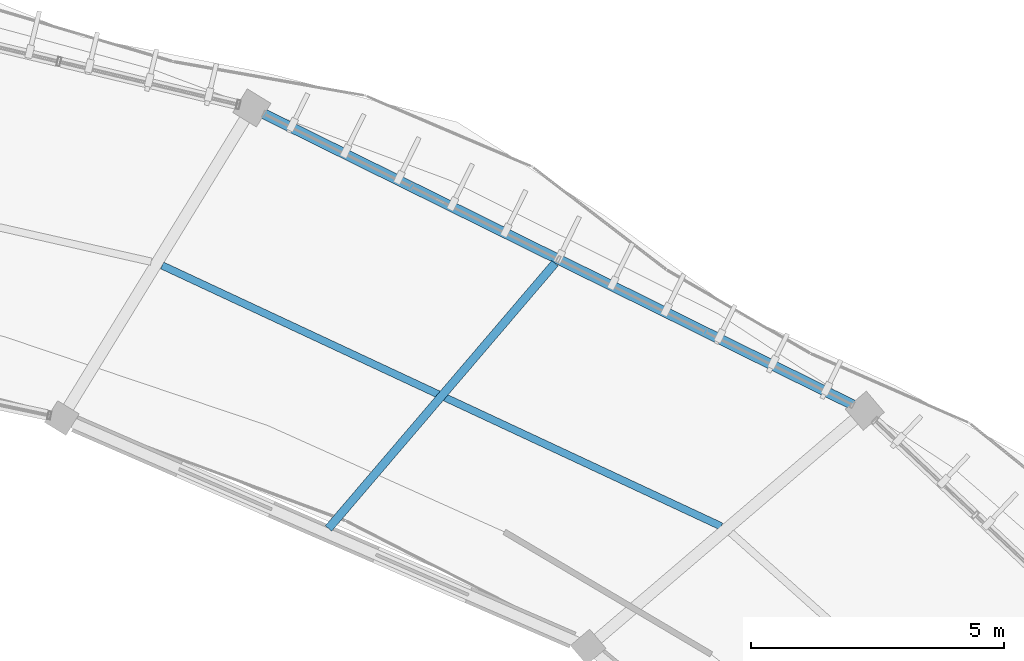
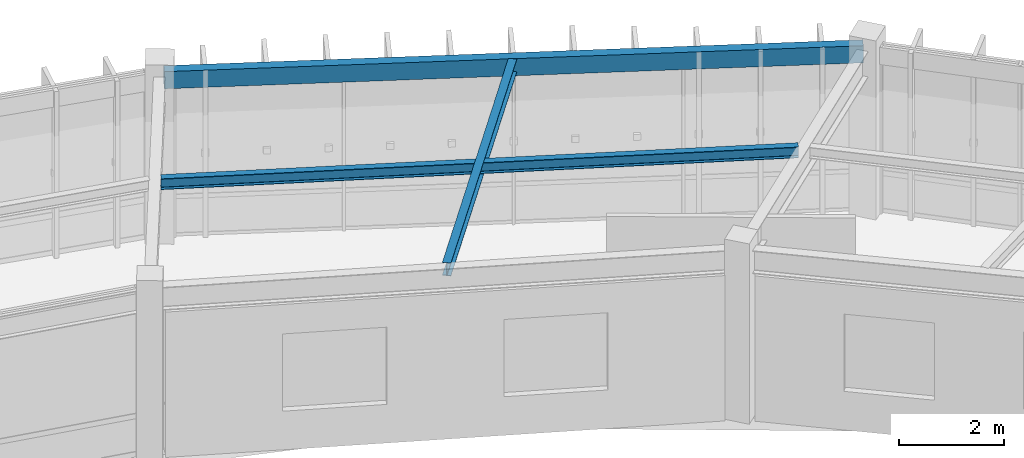
# One storey, part 60 of 79: 3 beams.
"""IFC4 building model written with IfcOpenShell, lengths in metres."""

from ifc_helpers import new_model, si_unit, direction, frame, origin, origin_2d, place, context, subcontext, project, spatial, hollow_rectangle, i_section, extrude, material, material_profile, profile_set, type_object, element, save


model = new_model("IFC4")

# Units and contexts
model_context = context("Model", 3, precision=1e-05, world=origin(), true_north=direction((0.0, 1.0)))
body_context = subcontext(model_context, "Body", "Model", "MODEL_VIEW")
ifc_project = project(units=[si_unit("LENGTHUNIT", "METRE"), si_unit("AREAUNIT", "SQUARE_METRE"), si_unit("VOLUMEUNIT", "CUBIC_METRE"), si_unit("PLANEANGLEUNIT", "RADIAN"), si_unit("MASSUNIT", "GRAM", prefix="KILO"), si_unit("THERMODYNAMICTEMPERATUREUNIT", "KELVIN"), si_unit("POWERUNIT", "WATT")], contexts=[model_context])

# Site, building, storey
site_placement = place(None, origin())
site = spatial("IfcSite", under=ifc_project, at=site_placement, CompositionType="ELEMENT")
building_placement = place(site_placement, origin())
building = spatial("IfcBuilding", under=site, at=building_placement, Name="Darbajah Civic Hall", CompositionType="ELEMENT")
storey_placement = place(building_placement, frame((0.0, 0.0, 22.199951171875)))
storey = spatial("IfcBuildingStorey", under=building, at=storey_placement, Name="L05", CompositionType="ELEMENT", Elevation=22.199951171875)

# Beams
ifc_material = material(Name="Steel S355JR", Category="steel")
ifc_material_profile_1 = material_profile(ifc_material, hollow_rectangle(XDim=0.199951171875, YDim=0.39990234375, WallThickness=0.013916015625, at=origin_2d()), Name="RHS 400x200x14")
ifc_profile_set_1 = profile_set([ifc_material_profile_1], Name="Steel S355JR")
beam_type_1 = type_object("IfcBeamType", Name="RHS 400x200x14", PredefinedType="SPANDREL", material=ifc_profile_set_1)
beam_1_placement = place(storey_placement, frame((127.80908203125, 108.994140625, 3.719970703125), z_axis=(-0.896560149568, 0.442922000139, 0.0), x_axis=(-0.442922000139, -0.896560149568, 0.0)))
element("IfcBeam", 1, at=beam_1_placement, inside=storey, type_object=beam_type_1, Name="L05 beam SP-RHS400", PredefinedType="SPANDREL", context=body_context, shape_type="SweptSolid", body=[
    extrude(hollow_rectangle(XDim=0.199951171875, YDim=0.39990234375, WallThickness=0.013916015625, at=origin_2d()), origin(), (0.0, 0.0, 1.0), 13.373291015625),
])
ifc_material_profile_2 = material_profile(ifc_material, i_section(OverallWidth=0.146484375, OverallDepth=0.256103515625, WebThickness=0.00634765625, FlangeThickness=0.010986328125, FilletRadius=0.007568359375, at=origin_2d()), Name="UB 254x146x37")
ifc_profile_set_2 = profile_set([ifc_material_profile_2], Name="Steel S355JR")
beam_type_2 = type_object("IfcBeamType", Name="UB 254x146x37", PredefinedType="JOIST", material=ifc_profile_set_2)
beam_2_placement = place(storey_placement, frame((125.0380859375, 106.669921875, 3.7919921875), z_axis=(-0.906187225773, 0.422876709982, 0.0), x_axis=(-0.422876709982, -0.906187225773, 0.0)))
element("IfcBeam", 2, at=beam_2_placement, inside=storey, type_object=beam_type_2, Name="L05 beam SJ-254", PredefinedType="JOIST", context=body_context, shape_type="SweptSolid", body=[
    extrude(i_section(OverallWidth=0.146484375, OverallDepth=0.256103515625, WebThickness=0.00634765625, FlangeThickness=0.010986328125, FilletRadius=0.007568359375, at=origin_2d()), origin(), (0.0, 0.0, 1.0), 12.21240234375),
])
ifc_material_profile_3 = material_profile(ifc_material, i_section(OverallWidth=0.165771484375, OverallDepth=0.306640625, WebThickness=0.006591796875, FlangeThickness=0.01171875, FilletRadius=0.0087890625, at=origin_2d()), Name="UB 305x165x46")
ifc_profile_set_3 = profile_set([ifc_material_profile_3], Name="Steel S355JR")
beam_type_3 = type_object("IfcBeamType", Name="UB 305x165x46", PredefinedType="JOIST", material=ifc_profile_set_3)
beam_3_placement = place(storey_placement, frame((117.264404296875, 106.62890625, 3.766845703125), z_axis=(0.649456456581, 0.760398784195, 0.0), x_axis=(-0.760398784195, 0.649456456581, 0.0)))
element("IfcBeam", 3, at=beam_3_placement, inside=storey, type_object=beam_type_3, Name="L05 beam SJ-305", PredefinedType="JOIST", context=body_context, shape_type="SweptSolid", body=[
    extrude(i_section(OverallWidth=0.165771484375, OverallDepth=0.306640625, WebThickness=0.006591796875, FlangeThickness=0.01171875, FilletRadius=0.0087890625, at=origin_2d()), origin(), (0.0, 0.0, 1.0), 6.9033203125),
])

save(model, "model.ifc")
